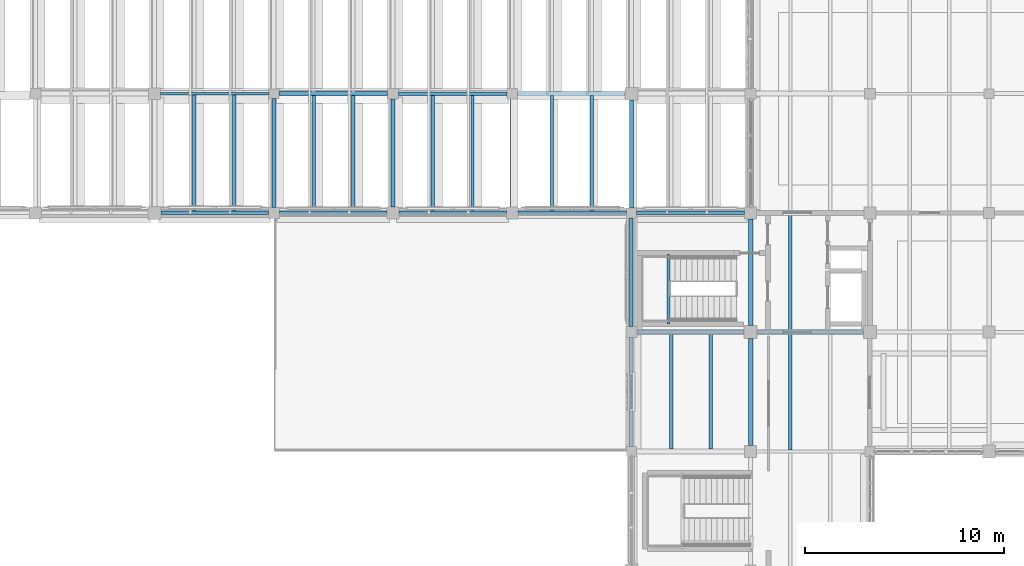
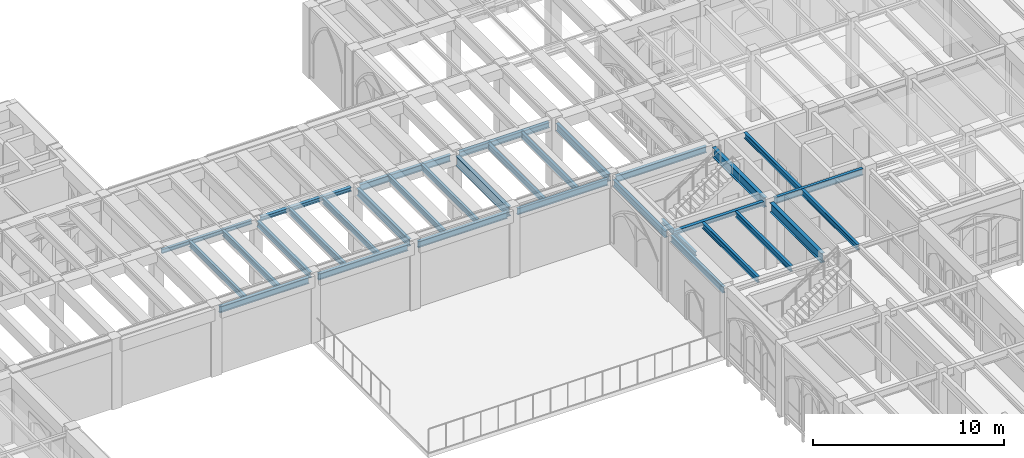
# One storey, part 30 of 127: 32 beams.
"""IFC4 building model written with IfcOpenShell, lengths in metres."""

from ifc_helpers import new_model, si_unit, direction, frame, origin, origin_2d, place, context, subcontext, project, spatial, i_section, extrude, material, material_profile, profile_set, type_object, element, save


model = new_model("IFC4")

# Units and contexts
model_context = context("Model", 3, precision=1e-05, world=origin(), true_north=direction((0.0, 1.0)))
body_context = subcontext(model_context, "Body", "Model", "MODEL_VIEW")
ifc_project = project(units=[si_unit("LENGTHUNIT", "METRE"), si_unit("AREAUNIT", "SQUARE_METRE"), si_unit("VOLUMEUNIT", "CUBIC_METRE"), si_unit("PLANEANGLEUNIT", "RADIAN"), si_unit("MASSUNIT", "GRAM", prefix="KILO")], contexts=[model_context])

# Site, building, storey
site_placement = place(None, origin())
site = spatial("IfcSite", under=ifc_project, at=site_placement, CompositionType="ELEMENT")
building_placement = place(site_placement, origin())
building = spatial("IfcBuilding", under=site, at=building_placement, Name="Cumevento Cable Car Station", CompositionType="ELEMENT")
storey_placement = place(building_placement, frame((0.0, 0.0, 4.5)))
storey = spatial("IfcBuildingStorey", under=building, at=storey_placement, Name="L02", CompositionType="ELEMENT", Elevation=4.5)

# Beams
ifc_material_1 = material(Name="Steel ASTM A572 Grade 50", Category="steel")
ifc_material_profile_1 = material_profile(ifc_material_1, i_section(OverallWidth=0.22802734375, OverallDepth=0.60791015625, WebThickness=0.01123046875, FlangeThickness=0.017333984375, at=origin_2d()), Name="W610x113.0")
ifc_profile_set_1 = profile_set([ifc_material_profile_1], Name="Steel ASTM A572 Grade 50")
beam_type_1 = type_object("IfcBeamType", Name="Structural Beam BM-02 W610x113.0", PredefinedType="BEAM", material=ifc_profile_set_1)
for number, where, z_axis, x_axis, name in (
    (1, (64.0, 33.300048828125, 3.924072265625), (0.0, 1.0, 0.0), (-1.0, 0.0, 0.0), "Beam BM-02 L02 #496"),
    (2, (64.0, 39.324951171875, 3.805908203125), (0.0, 1.0, 0.0), (-1.0, 0.0, 0.0), "Beam BM-02 L02 #505"),
):
    element("IfcBeam", number, at=place(storey_placement, frame(where, z_axis=z_axis, x_axis=x_axis)), inside=storey, type_object=beam_type_1, Name=name, PredefinedType="BEAM", context=body_context, shape_type="SweptSolid", body=[
        extrude(i_section(OverallWidth=0.22802734375, OverallDepth=0.60791015625, WebThickness=0.01123046875, FlangeThickness=0.017333984375, at=origin_2d()), origin(), (0.0, 0.0, 1.0), 5.375),
    ])
beam_1_placement = place(storey_placement, frame((52.0, 45.300048828125, 3.805908203125), z_axis=(0.0, 1.0, 0.0), x_axis=(-1.0, 0.0, 0.0)))
element("IfcBeam", 3, at=beam_1_placement, inside=storey, type_object=beam_type_1, Name="Beam BM-02 L02 #574", PredefinedType="BEAM", context=body_context, shape_type="SweptSolid", body=[
    extrude(i_section(OverallWidth=0.22802734375, OverallDepth=0.60791015625, WebThickness=0.01123046875, FlangeThickness=0.017333984375, at=origin_2d()), origin(), (0.0, 0.0, 1.0), 5.425048828125),
])
ifc_material_2 = material(Name="Steel ASTM A572 Grade 50", Category="steel")
ifc_material_profile_2 = material_profile(ifc_material_2, i_section(OverallWidth=0.18994140625, OverallDepth=0.45703125, WebThickness=0.009033203125, FlangeThickness=0.014404296875, at=origin_2d()), Name="W460x74.0")
ifc_profile_set_2 = profile_set([ifc_material_profile_2], Name="Steel ASTM A572 Grade 50")
beam_type_2 = type_object("IfcBeamType", Name="Structural Beam BM-04 W460x74.0", PredefinedType="BEAM", material=ifc_profile_set_2)
for number, where, z_axis, x_axis, name in (
    (4, (46.0, 45.300048828125, 3.92138671875), (0.0, 1.0, 0.0), (-1.0, 0.0, 0.0), "Beam BM-04 L02 #572"),
    (5, (58.0, 45.25, 3.881591796875), (0.0, 1.0, 0.0), (-1.0, 0.0, 0.0), "Beam BM-04 L02 #590"),
):
    element("IfcBeam", number, at=place(storey_placement, frame(where, z_axis=z_axis, x_axis=x_axis)), inside=storey, type_object=beam_type_2, Name=name, PredefinedType="BEAM", context=body_context, shape_type="SweptSolid", body=[
        extrude(i_section(OverallWidth=0.18994140625, OverallDepth=0.45703125, WebThickness=0.009033203125, FlangeThickness=0.014404296875, at=origin_2d()), origin(), (0.0, 0.0, 1.0), 5.425048828125),
    ])
ifc_material_3 = material(Name="Steel ASTM A572 Grade 50", Category="steel")
ifc_material_profile_3 = material_profile(ifc_material_3, i_section(OverallWidth=0.205078125, OverallDepth=0.35400390625, WebThickness=0.009521484375, FlangeThickness=0.016845703125, at=origin_2d()), Name="W360x79.0")
ifc_profile_set_3 = profile_set([ifc_material_profile_3], Name="Steel ASTM A572 Grade 50")
beam_type_3 = type_object("IfcBeamType", Name="Structural Beam BM-05 W360x79.0", PredefinedType="BEAM", material=ifc_profile_set_3)
beam_2_placement = place(storey_placement, frame((40.0, 45.27490234375, 3.972900390625), z_axis=(0.0, 1.0, 0.0), x_axis=(-1.0, 0.0, 0.0)))
element("IfcBeam", 6, at=beam_2_placement, inside=storey, type_object=beam_type_3, Name="Beam BM-05 L02 #570", PredefinedType="BEAM", context=body_context, shape_type="SweptSolid", body=[
    extrude(i_section(OverallWidth=0.205078125, OverallDepth=0.35400390625, WebThickness=0.009521484375, FlangeThickness=0.016845703125, at=origin_2d()), origin(), (0.0, 0.0, 1.0), 5.47509765625),
])
beam_3_placement = place(storey_placement, frame((52.27490234375, 51.0, 3.93310546875), z_axis=(1.0, 0.0, 0.0), x_axis=(0.0, 1.0, 0.0)))
element("IfcBeam", 7, at=beam_3_placement, inside=storey, type_object=beam_type_3, Name="Beam BM-05 L02 #586", PredefinedType="BEAM", context=body_context, shape_type="SweptSolid", body=[
    extrude(i_section(OverallWidth=0.205078125, OverallDepth=0.35400390625, WebThickness=0.009521484375, FlangeThickness=0.016845703125, at=origin_2d()), origin(), (0.0, 0.0, 1.0), 5.400146484375),
])
ifc_material_4 = material(Name="Steel ASTM A572 Grade 50", Category="steel")
ifc_material_profile_4 = material_profile(ifc_material_4, i_section(OverallWidth=0.14794921875, OverallDepth=0.26611328125, WebThickness=0.007568359375, FlangeThickness=0.012939453125, at=origin_2d()), Name="W250x44.8")
ifc_profile_set_4 = profile_set([ifc_material_profile_4], Name="Steel ASTM A572 Grade 50")
beam_type_4 = type_object("IfcBeamType", Name="Structural Beam BM-07 W250x44.8", PredefinedType="BEAM", material=ifc_profile_set_4)
beam_4_placement = place(storey_placement, frame((34.300048828125, 51.0, 4.01708984375), z_axis=(1.0, 0.0, 0.0), x_axis=(0.0, 1.0, 0.0)))
element("IfcBeam", 8, at=beam_4_placement, inside=storey, type_object=beam_type_4, Name="Beam BM-07 L02 #556", PredefinedType="BEAM", context=body_context, shape_type="SweptSolid", body=[
    extrude(i_section(OverallWidth=0.14794921875, OverallDepth=0.26611328125, WebThickness=0.007568359375, FlangeThickness=0.012939453125, at=origin_2d()), origin(), (0.0, 0.0, 1.0), 5.449951171875),
])
beam_5_placement = place(storey_placement, frame((59.860107421875, 39.39990234375, 1.926025390625), z_axis=(0.0, 1.0, 0.0), x_axis=(-1.0, 0.0, 0.0)))
element("IfcBeam", 9, at=beam_5_placement, inside=storey, type_object=beam_type_4, Name="Core Stair Half-Landing Trimmer ST-01-L02", PredefinedType="BEAM", context=body_context, shape_type="SweptSolid", body=[
    extrude(i_section(OverallWidth=0.14794921875, OverallDepth=0.26611328125, WebThickness=0.007568359375, FlangeThickness=0.012939453125, at=origin_2d()), origin(), (0.0, 0.0, 1.0), 3.52001953125),
])
ifc_material_5 = material(Name="Steel ASTM A572 Grade 50", Category="steel")
ifc_material_profile_5 = material_profile(ifc_material_5, i_section(OverallWidth=0.202880859375, OverallDepth=0.251953125, WebThickness=0.008056640625, FlangeThickness=0.013427734375, at=origin_2d()), Name="W250x58.0")
ifc_profile_set_5 = profile_set([ifc_material_profile_5], Name="Steel ASTM A572 Grade 50")
beam_type_5 = type_object("IfcBeamType", Name="Structural Beam BM-08 W250x58.0", PredefinedType="BEAM", material=ifc_profile_set_5)
beam_6_placement = place(storey_placement, frame((58.27490234375, 39.0, 4.10205078125), z_axis=(1.0, 0.0, 0.0), x_axis=(0.0, 1.0, 0.0)))
element("IfcBeam", 10, at=beam_6_placement, inside=storey, type_object=beam_type_5, Name="Beam BM-08 L02 #485", PredefinedType="BEAM", context=body_context, shape_type="SweptSolid", body=[
    extrude(i_section(OverallWidth=0.202880859375, OverallDepth=0.251953125, WebThickness=0.008056640625, FlangeThickness=0.013427734375, at=origin_2d()), origin(), (0.0, 0.0, 1.0), 5.400146484375),
])
beam_7_placement = place(storey_placement, frame((40.25, 51.0, 4.02392578125), z_axis=(1.0, 0.0, 0.0), x_axis=(0.0, 1.0, 0.0)))
element("IfcBeam", 11, at=beam_7_placement, inside=storey, type_object=beam_type_5, Name="Beam BM-08 L02 #557", PredefinedType="BEAM", context=body_context, shape_type="SweptSolid", body=[
    extrude(i_section(OverallWidth=0.202880859375, OverallDepth=0.251953125, WebThickness=0.008056640625, FlangeThickness=0.013427734375, at=origin_2d()), origin(), (0.0, 0.0, 1.0), 5.47509765625),
])
ifc_material_6 = material(Name="Steel ASTM A572 Grade 50", Category="steel")
ifc_material_profile_6 = material_profile(ifc_material_6, i_section(OverallWidth=0.179931640625, OverallDepth=0.4130859375, WebThickness=0.009765625, FlangeThickness=0.01611328125, at=origin_2d()), Name="W410x74.0")
ifc_profile_set_6 = profile_set([ifc_material_profile_6], Name="Steel ASTM A572 Grade 50")
beam_type_6 = type_object("IfcBeamType", Name="Structural Beam BM-09 W410x74.0", PredefinedType="BEAM", material=ifc_profile_set_6)
beam_8_placement = place(storey_placement, frame((64.324951171875, 39.0, 4.021484375), z_axis=(1.0, 0.0, 0.0), x_axis=(0.0, 1.0, 0.0)))
element("IfcBeam", 12, at=beam_8_placement, inside=storey, type_object=beam_type_6, Name="Beam BM-09 L02 #486", PredefinedType="BEAM", context=body_context, shape_type="SweptSolid", body=[
    extrude(i_section(OverallWidth=0.179931640625, OverallDepth=0.4130859375, WebThickness=0.009765625, FlangeThickness=0.01611328125, at=origin_2d()), origin(), (0.0, 0.0, 1.0), 5.35009765625),
])
beam_9_placement = place(storey_placement, frame((58.25, 45.0, 3.903564453125), z_axis=(1.0, 0.0, 0.0), x_axis=(0.0, 1.0, 0.0)))
element("IfcBeam", 13, at=beam_9_placement, inside=storey, type_object=beam_type_6, Name="Beam BM-09 L02 #502", PredefinedType="BEAM", context=body_context, shape_type="SweptSolid", body=[
    extrude(i_section(OverallWidth=0.179931640625, OverallDepth=0.4130859375, WebThickness=0.009765625, FlangeThickness=0.01611328125, at=origin_2d()), origin(), (0.0, 0.0, 1.0), 5.449951171875),
])
beam_10_placement = place(storey_placement, frame((46.27490234375, 51.0, 3.903564453125), z_axis=(1.0, 0.0, 0.0), x_axis=(0.0, 1.0, 0.0)))
element("IfcBeam", 14, at=beam_10_placement, inside=storey, type_object=beam_type_6, Name="Beam BM-09 L02 #558", PredefinedType="BEAM", context=body_context, shape_type="SweptSolid", body=[
    extrude(i_section(OverallWidth=0.179931640625, OverallDepth=0.4130859375, WebThickness=0.009765625, FlangeThickness=0.01611328125, at=origin_2d()), origin(), (0.0, 0.0, 1.0), 5.4501953125),
])
ifc_material_7 = material(Name="Steel ASTM A572 Grade 50", Category="steel")
ifc_material_profile_7 = material_profile(ifc_material_7, i_section(OverallWidth=0.1708984375, OverallDepth=0.35498046875, WebThickness=0.007080078125, FlangeThickness=0.01171875, at=origin_2d()), Name="W360x51.0")
ifc_profile_set_7 = profile_set([ifc_material_profile_7], Name="Steel ASTM A572 Grade 50")
beam_type_7 = type_object("IfcBeamType", Name="Structural Joist JS-01 W360x51.0", PredefinedType="JOIST", material=ifc_profile_set_7)
for number, where, z_axis, x_axis, name in (
    (15, (60.0, 33.114990234375, 4.050537109375), (0.0, 1.0, 0.0), (-1.0, 0.0, 0.0), "Composite Floor Joist JS-01 L02 #755"),
    (16, (62.0, 33.114990234375, 4.050537109375), (0.0, 1.0, 0.0), (-1.0, 0.0, 0.0), "Composite Floor Joist JS-01 L02 #759"),
):
    element("IfcBeam", number, at=place(storey_placement, frame(where, z_axis=z_axis, x_axis=x_axis)), inside=storey, type_object=beam_type_7, Name=name, PredefinedType="JOIST", context=body_context, shape_type="SweptSolid", body=[
        extrude(i_section(OverallWidth=0.1708984375, OverallDepth=0.35498046875, WebThickness=0.007080078125, FlangeThickness=0.01171875, at=origin_2d()), origin(), (0.0, 0.0, 1.0), 5.79541015625),
    ])
beam_11_placement = place(storey_placement, frame((66.0, 33.06201171875, 4.050537109375), z_axis=(0.0, 1.0, 0.0), x_axis=(-1.0, 0.0, 0.0)))
element("IfcBeam", 17, at=beam_11_placement, inside=storey, type_object=beam_type_7, Name="Composite Floor Joist JS-01 L02 #764", PredefinedType="JOIST", context=body_context, shape_type="SweptSolid", body=[
    extrude(i_section(OverallWidth=0.1708984375, OverallDepth=0.35498046875, WebThickness=0.007080078125, FlangeThickness=0.01171875, at=origin_2d()), origin(), (0.0, 0.0, 1.0), 5.860107421875),
])
beam_12_placement = place(storey_placement, frame((66.0, 39.077880859375, 4.050537109375), z_axis=(0.0, 1.0, 0.0), x_axis=(-1.0, 0.0, 0.0)))
element("IfcBeam", 18, at=beam_12_placement, inside=storey, type_object=beam_type_7, Name="Composite Floor Joist JS-01 L02 #770", PredefinedType="JOIST", context=body_context, shape_type="SweptSolid", body=[
    extrude(i_section(OverallWidth=0.1708984375, OverallDepth=0.35498046875, WebThickness=0.007080078125, FlangeThickness=0.01171875, at=origin_2d()), origin(), (0.0, 0.0, 1.0), 5.838134765625),
])
for number, where, z_axis, x_axis, name in (
    (19, (36.0, 45.076904296875, 3.972412109375), (0.0, 1.0, 0.0), (-1.0, 0.0, 0.0), "Composite Floor Joist JS-01 L02 #796"),
    (20, (38.0, 45.076904296875, 3.972412109375), (0.0, 1.0, 0.0), (-1.0, 0.0, 0.0), "Composite Floor Joist JS-01 L02 #798"),
):
    element("IfcBeam", number, at=place(storey_placement, frame(where, z_axis=z_axis, x_axis=x_axis)), inside=storey, type_object=beam_type_7, Name=name, PredefinedType="JOIST", context=body_context, shape_type="SweptSolid", body=[
        extrude(i_section(OverallWidth=0.1708984375, OverallDepth=0.35498046875, WebThickness=0.007080078125, FlangeThickness=0.01171875, at=origin_2d()), origin(), (0.0, 0.0, 1.0), 5.861083984375),
    ])
for number, where, z_axis, x_axis, name in (
    (21, (42.0, 45.076904296875, 3.972412109375), (0.0, 1.0, 0.0), (-1.0, 0.0, 0.0), "Composite Floor Joist JS-01 L02 #800"),
    (22, (44.0, 45.076904296875, 3.972412109375), (0.0, 1.0, 0.0), (-1.0, 0.0, 0.0), "Composite Floor Joist JS-01 L02 #802"),
):
    element("IfcBeam", number, at=place(storey_placement, frame(where, z_axis=z_axis, x_axis=x_axis)), inside=storey, type_object=beam_type_7, Name=name, PredefinedType="JOIST", context=body_context, shape_type="SweptSolid", body=[
        extrude(i_section(OverallWidth=0.1708984375, OverallDepth=0.35498046875, WebThickness=0.007080078125, FlangeThickness=0.01171875, at=origin_2d()), origin(), (0.0, 0.0, 1.0), 5.83349609375),
    ])
for number, where, z_axis, x_axis, name in (
    (23, (48.0, 45.076904296875, 3.972412109375), (0.0, 1.0, 0.0), (-1.0, 0.0, 0.0), "Composite Floor Joist JS-01 L02 #804"),
    (24, (50.0, 45.076904296875, 3.972412109375), (0.0, 1.0, 0.0), (-1.0, 0.0, 0.0), "Composite Floor Joist JS-01 L02 #806"),
):
    element("IfcBeam", number, at=place(storey_placement, frame(where, z_axis=z_axis, x_axis=x_axis)), inside=storey, type_object=beam_type_7, Name=name, PredefinedType="JOIST", context=body_context, shape_type="SweptSolid", body=[
        extrude(i_section(OverallWidth=0.1708984375, OverallDepth=0.35498046875, WebThickness=0.007080078125, FlangeThickness=0.01171875, at=origin_2d()), origin(), (0.0, 0.0, 1.0), 5.84521484375),
    ])
for number, where, z_axis, x_axis, name in (
    (25, (54.0, 45.076904296875, 3.9326171875), (0.0, 1.0, 0.0), (-1.0, 0.0, 0.0), "Composite Floor Joist JS-01 L02 #810"),
    (26, (56.0, 45.076904296875, 3.9326171875), (0.0, 1.0, 0.0), (-1.0, 0.0, 0.0), "Composite Floor Joist JS-01 L02 #812"),
):
    element("IfcBeam", number, at=place(storey_placement, frame(where, z_axis=z_axis, x_axis=x_axis)), inside=storey, type_object=beam_type_7, Name=name, PredefinedType="JOIST", context=body_context, shape_type="SweptSolid", body=[
        extrude(i_section(OverallWidth=0.1708984375, OverallDepth=0.35498046875, WebThickness=0.007080078125, FlangeThickness=0.01171875, at=origin_2d()), origin(), (0.0, 0.0, 1.0), 5.83251953125),
    ])
ifc_material_8 = material(Name="Steel ASTM A572 Grade 50", Category="steel")
ifc_material_profile_8 = material_profile(ifc_material_8, i_section(OverallWidth=0.177978515625, OverallDepth=0.406982421875, WebThickness=0.0078125, FlangeThickness=0.0126953125, at=origin_2d()), Name="W410x60.0")
ifc_profile_set_8 = profile_set([ifc_material_profile_8], Name="Steel ASTM A572 Grade 50")
beam_type_8 = type_object("IfcBeamType", Name="Structural Spandrel SP-01 W410x60.0", PredefinedType="SPANDREL", material=ifc_profile_set_8)
for number, where, z_axis, x_axis, name in (
    (27, (58.0, 33.25, 4.0244140625), (0.0, 1.0, 0.0), (-1.0, 0.0, 0.0), "Beam SP-01 L02 #491"),
    (28, (58.0, 39.27490234375, 3.906494140625), (0.0, 1.0, 0.0), (-1.0, 0.0, 0.0), "Beam SP-01 L02 #504"),
):
    element("IfcBeam", number, at=place(storey_placement, frame(where, z_axis=z_axis, x_axis=x_axis)), inside=storey, type_object=beam_type_8, Name=name, PredefinedType="SPANDREL", context=body_context, shape_type="SweptSolid", body=[
        extrude(i_section(OverallWidth=0.177978515625, OverallDepth=0.406982421875, WebThickness=0.0078125, FlangeThickness=0.0126953125, at=origin_2d()), origin(), (0.0, 0.0, 1.0), 5.47509765625),
    ])
beam_13_placement = place(storey_placement, frame((34.324951171875, 45.0, 3.946533203125), z_axis=(1.0, 0.0, 0.0), x_axis=(0.0, 1.0, 0.0)))
element("IfcBeam", 29, at=beam_13_placement, inside=storey, type_object=beam_type_8, Name="Beam SP-01 L02 #551", PredefinedType="SPANDREL", context=body_context, shape_type="SweptSolid", body=[
    extrude(i_section(OverallWidth=0.177978515625, OverallDepth=0.406982421875, WebThickness=0.0078125, FlangeThickness=0.0126953125, at=origin_2d()), origin(), (0.0, 0.0, 1.0), 5.400146484375),
])
beam_14_placement = place(storey_placement, frame((40.27490234375, 45.0, 3.946533203125), z_axis=(1.0, 0.0, 0.0), x_axis=(0.0, 1.0, 0.0)))
element("IfcBeam", 30, at=beam_14_placement, inside=storey, type_object=beam_type_8, Name="Beam SP-01 L02 #552", PredefinedType="SPANDREL", context=body_context, shape_type="SweptSolid", body=[
    extrude(i_section(OverallWidth=0.177978515625, OverallDepth=0.406982421875, WebThickness=0.0078125, FlangeThickness=0.0126953125, at=origin_2d()), origin(), (0.0, 0.0, 1.0), 5.425048828125),
])
beam_15_placement = place(storey_placement, frame((46.300048828125, 45.0, 3.906494140625), z_axis=(1.0, 0.0, 0.0), x_axis=(0.0, 1.0, 0.0)))
element("IfcBeam", 31, at=beam_15_placement, inside=storey, type_object=beam_type_8, Name="Beam SP-01 L02 #553", PredefinedType="SPANDREL", context=body_context, shape_type="SweptSolid", body=[
    extrude(i_section(OverallWidth=0.177978515625, OverallDepth=0.406982421875, WebThickness=0.0078125, FlangeThickness=0.0126953125, at=origin_2d()), origin(), (0.0, 0.0, 1.0), 5.39990234375),
])
beam_16_placement = place(storey_placement, frame((52.300048828125, 45.0, 3.906494140625), z_axis=(1.0, 0.0, 0.0), x_axis=(0.0, 1.0, 0.0)))
element("IfcBeam", 32, at=beam_16_placement, inside=storey, type_object=beam_type_8, Name="Beam SP-01 L02 #585", PredefinedType="SPANDREL", context=body_context, shape_type="SweptSolid", body=[
    extrude(i_section(OverallWidth=0.177978515625, OverallDepth=0.406982421875, WebThickness=0.0078125, FlangeThickness=0.0126953125, at=origin_2d()), origin(), (0.0, 0.0, 1.0), 5.449951171875),
])

save(model, "model.ifc")
